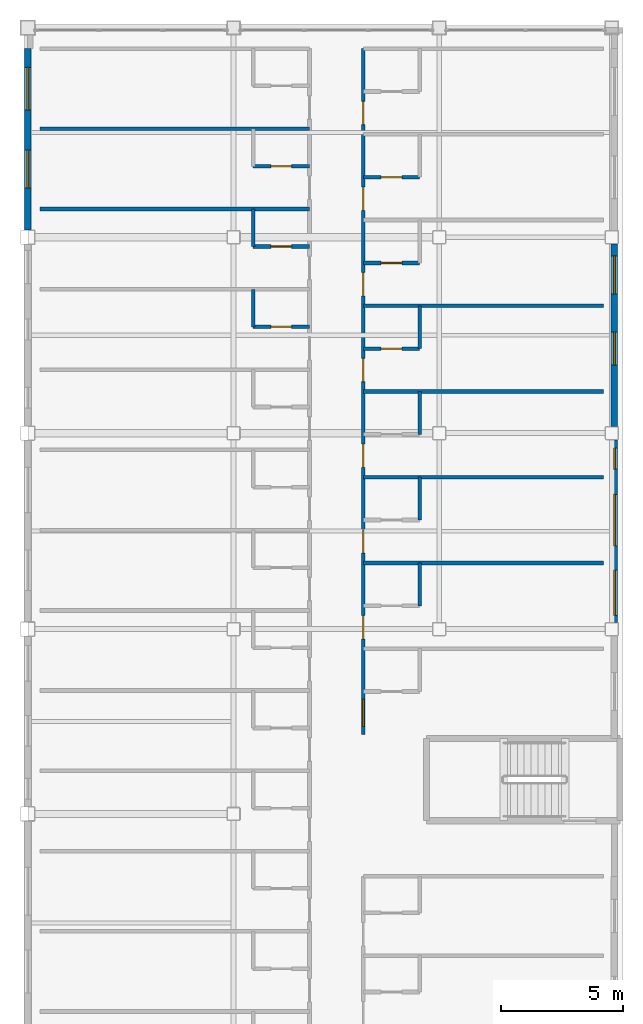
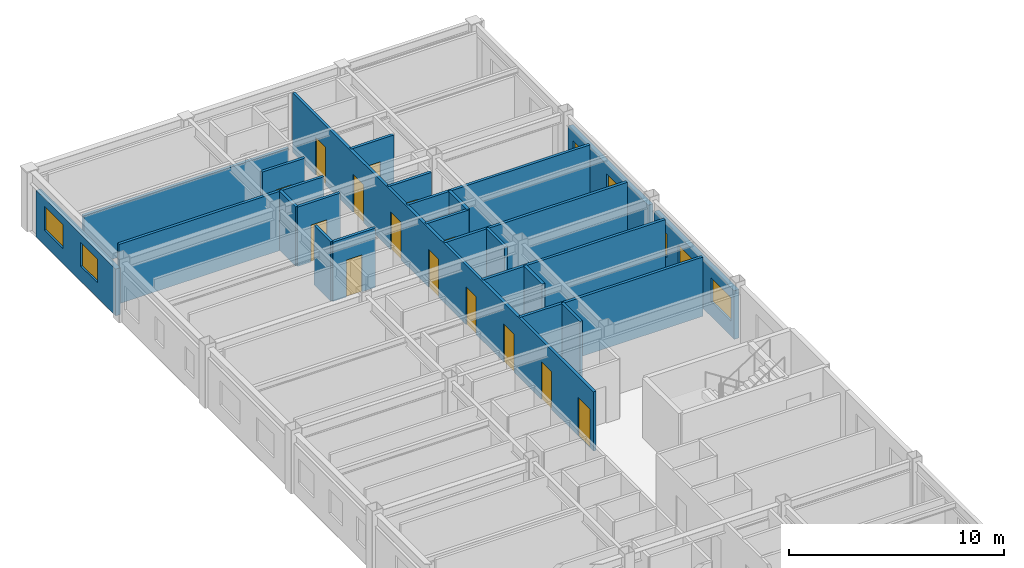
# One storey, part 32 of 36: 22 walls, 14 doors, 7 windows, 21 openings.
"""IFC4 building model written with IfcOpenShell, lengths in metres."""

from ifc_helpers import new_model, si_unit, direction, frame, frame_2d, origin, place, context, subcontext, project, spatial, rectangle, extrude, material, layer, layer_set, type_object, element, fill, save


model = new_model("IFC4")

# Units and contexts
model_context = context("Model", 3, precision=1e-05, world=origin(), true_north=direction((0.0, 1.0)))
body_context = subcontext(model_context, "Body", "Model", "MODEL_VIEW")
ifc_project = project(units=[si_unit("LENGTHUNIT", "METRE"), si_unit("AREAUNIT", "SQUARE_METRE"), si_unit("VOLUMEUNIT", "CUBIC_METRE"), si_unit("PLANEANGLEUNIT", "RADIAN"), si_unit("MASSUNIT", "GRAM", prefix="KILO")], contexts=[model_context])

# Site, building, storey
site_placement = place(None, origin())
site = spatial("IfcSite", under=ifc_project, at=site_placement, CompositionType="ELEMENT")
building_placement = place(site_placement, origin())
building = spatial("IfcBuilding", under=site, at=building_placement, Name="Kazehara Bluff Congress Hotel", CompositionType="ELEMENT")
storey_placement = place(building_placement, frame((0.0, 0.0, 28.199951171875)))
storey = spatial("IfcBuildingStorey", under=building, at=storey_placement, Name="L06", CompositionType="ELEMENT", Elevation=28.199951171875)

# Wall, openings, windows
ifc_material_1 = material(Name="Precast concrete C40/50", Category="concrete")
ifc_layer_1 = layer(ifc_material_1, 0.260009765625)
ifc_layer_set_1 = layer_set([ifc_layer_1], Name="Precast concrete C40/50")
wall_type_1 = type_object("IfcWallType", Name="TP-EW-260", PredefinedType="SOLIDWALL", material=ifc_layer_set_1)
wall_1_placement = place(storey_placement, frame((167.64990234375, 88.625, 0.0), z_axis=(0.0, 0.0, 1.0), x_axis=(0.0, -1.0, 0.0)))
wall_1 = element("IfcWall", 1, at=wall_1_placement, inside=storey, type_object=wall_type_1, Name="L06 hotel facade panel 76", PredefinedType="SOLIDWALL", context=body_context, shape_type="SweptSolid", body=[
    extrude(rectangle(XDim=7.449951171875, YDim=0.260009765625, at=frame_2d((3.72509765625, 0.0))), origin(), (0.0, 0.0, 1.0), 2.755126953125),
])
opening_1_placement = place(wall_1_placement, frame((5.31494140625, 0.0, 0.85009765625)))
opening_1 = element("IfcOpeningElement", 2, at=opening_1_placement, cuts=wall_1, Name="Opening WN-36", PredefinedType="OPENING", context=body_context, shape_type="SweptSolid", body=[
    extrude(rectangle(XDim=1.85009765625, YDim=1.35009765625, at=frame_2d((0.925048828125, 0.675048828125))), frame((0.0, 0.139892578125, 0.0), z_axis=(0.0, -1.0, 0.0), x_axis=(1.0, 0.0, 0.0)), (0.0, 0.0, 1.0), 0.280029296875),
])
opening_2_placement = place(wall_1_placement, frame((2.22509765625, 0.0, 0.85009765625)))
opening_2 = element("IfcOpeningElement", 3, at=opening_2_placement, cuts=wall_1, Name="Opening WN-46", PredefinedType="OPENING", context=body_context, shape_type="SweptSolid", body=[
    extrude(rectangle(XDim=2.10009765625, YDim=1.35009765625, at=frame_2d((1.050048828125, 0.675048828125))), frame((0.0, 0.139892578125, 0.0), z_axis=(0.0, -1.0, 0.0), x_axis=(1.0, 0.0, 0.0)), (0.0, 0.0, 1.0), 0.280029296875),
])
opening_3_placement = place(wall_1_placement, frame((0.340087890625, 0.0, 0.85009765625)))
opening_3 = element("IfcOpeningElement", 4, at=opening_3_placement, cuts=wall_1, Name="Opening WN-55", PredefinedType="OPENING", context=body_context, shape_type="SweptSolid", body=[
    extrude(rectangle(XDim=0.85009765625, YDim=1.35009765625, at=frame_2d((0.425048828125, 0.675048828125))), frame((0.0, 0.139892578125, 0.0), z_axis=(0.0, -1.0, 0.0), x_axis=(1.0, 0.0, 0.0)), (0.0, 0.0, 1.0), 0.280029296875),
])
ifc_material_2 = material(Name="Insulated low-E double glazing", Category="glass")
window_type_1 = type_object("IfcWindowType", Name="TP-WN-36", PartitioningType="DOUBLE_PANEL_VERTICAL", PredefinedType="WINDOW", material=ifc_material_2)
window_1_placement = place(opening_1_placement, origin())
window_1 = element("IfcWindow", 5, at=window_1_placement, inside=storey, type_object=window_type_1, Name="L06 guestroom window WN-36 140", OverallHeight=1.35009765625, OverallWidth=1.85009765625, PartitioningType="SINGLE_PANEL", PredefinedType="WINDOW", context=body_context, shape_type="SweptSolid", body=[
    extrude(rectangle(XDim=1.85009765625, YDim=1.35009765625, at=frame_2d((0.925048828125, 0.675048828125))), frame((0.0, 0.030029296875, 0.0), z_axis=(0.0, -1.0, 0.0), x_axis=(1.0, 0.0, 0.0)), (0.0, 0.0, 1.0), 0.06005859375),
])
fill(opening_1, window_1)
ifc_material_3 = material(Name="Insulated low-E double glazing", Category="glass")
window_type_2 = type_object("IfcWindowType", Name="TP-WN-46", PartitioningType="DOUBLE_PANEL_VERTICAL", PredefinedType="WINDOW", material=ifc_material_3)
window_2_placement = place(opening_2_placement, origin())
window_2 = element("IfcWindow", 6, at=window_2_placement, inside=storey, type_object=window_type_2, Name="L06 guestroom window WN-46 141", OverallHeight=1.35009765625, OverallWidth=2.10009765625, PartitioningType="SINGLE_PANEL", PredefinedType="WINDOW", context=body_context, shape_type="SweptSolid", body=[
    extrude(rectangle(XDim=2.10009765625, YDim=1.35009765625, at=frame_2d((1.050048828125, 0.675048828125))), frame((0.0, 0.030029296875, 0.0), z_axis=(0.0, -1.0, 0.0), x_axis=(1.0, 0.0, 0.0)), (0.0, 0.0, 1.0), 0.06005859375),
])
fill(opening_2, window_2)
ifc_material_4 = material(Name="Insulated low-E double glazing", Category="glass")
window_type_3 = type_object("IfcWindowType", Name="TP-WN-55", PartitioningType="SINGLE_PANEL", PredefinedType="WINDOW", material=ifc_material_4)
window_3_placement = place(opening_3_placement, origin())
window_3 = element("IfcWindow", 7, at=window_3_placement, inside=storey, type_object=window_type_3, Name="L06 guestroom window WN-55 142", OverallHeight=1.35009765625, OverallWidth=0.85009765625, PartitioningType="SINGLE_PANEL", PredefinedType="WINDOW", context=body_context, shape_type="SweptSolid", body=[
    extrude(rectangle(XDim=0.85009765625, YDim=1.35009765625, at=frame_2d((0.425048828125, 0.675048828125))), frame((0.0, 0.030029296875, 0.0), z_axis=(0.0, -1.0, 0.0), x_axis=(1.0, 0.0, 0.0)), (0.0, 0.0, 1.0), 0.06005859375),
])
fill(opening_3, window_3)

wall_2_placement = place(storey_placement, frame((167.64990234375, 96.625, 0.0), z_axis=(0.0, 0.0, 1.0), x_axis=(0.0, -1.0, 0.0)))
wall_2 = element("IfcWall", 8, at=wall_2_placement, inside=storey, type_object=wall_type_1, Name="L06 hotel facade panel 77", PredefinedType="SOLIDWALL", context=body_context, shape_type="SweptSolid", body=[
    extrude(rectangle(XDim=7.449951171875, YDim=0.260009765625, at=frame_2d((3.72509765625, 0.0))), origin(), (0.0, 0.0, 1.0), 2.755126953125),
])
opening_4_placement = place(wall_2_placement, frame((3.60009765625, 0.0, 0.85009765625)))
opening_4 = element("IfcOpeningElement", 9, at=opening_4_placement, cuts=wall_2, Name="Opening WN-11", PredefinedType="OPENING", context=body_context, shape_type="SweptSolid", body=[
    extrude(rectangle(XDim=1.35009765625, YDim=1.35009765625, at=frame_2d((0.675048828125, 0.675048828125))), frame((0.0, 0.139892578125, 0.0), z_axis=(0.0, -1.0, 0.0), x_axis=(1.0, 0.0, 0.0)), (0.0, 0.0, 1.0), 0.280029296875),
])
opening_5_placement = place(wall_2_placement, frame((0.489990234375, 0.0, 0.85009765625)))
opening_5 = element("IfcOpeningElement", 10, at=opening_5_placement, cuts=wall_2, Name="Opening WN-21", PredefinedType="OPENING", context=body_context, shape_type="SweptSolid", body=[
    extrude(rectangle(XDim=1.550048828125, YDim=1.35009765625, at=frame_2d((0.77490234375, 0.675048828125))), frame((0.0, 0.139892578125, 0.0), z_axis=(0.0, -1.0, 0.0), x_axis=(1.0, 0.0, 0.0)), (0.0, 0.0, 1.0), 0.280029296875),
])
ifc_material_5 = material(Name="Insulated low-E double glazing", Category="glass")
window_type_4 = type_object("IfcWindowType", Name="TP-WN-11", PartitioningType="SINGLE_PANEL", PredefinedType="WINDOW", material=ifc_material_5)
window_4_placement = place(opening_4_placement, origin())
window_4 = element("IfcWindow", 11, at=window_4_placement, inside=storey, type_object=window_type_4, Name="L06 guestroom window WN-11 143", OverallHeight=1.35009765625, OverallWidth=1.35009765625, PartitioningType="SINGLE_PANEL", PredefinedType="WINDOW", context=body_context, shape_type="SweptSolid", body=[
    extrude(rectangle(XDim=1.35009765625, YDim=1.35009765625, at=frame_2d((0.675048828125, 0.675048828125))), frame((0.0, 0.030029296875, 0.0), z_axis=(0.0, -1.0, 0.0), x_axis=(1.0, 0.0, 0.0)), (0.0, 0.0, 1.0), 0.06005859375),
])
fill(opening_4, window_4)
ifc_material_6 = material(Name="Insulated low-E double glazing", Category="glass")
window_type_5 = type_object("IfcWindowType", Name="TP-WN-21", PartitioningType="SINGLE_PANEL", PredefinedType="WINDOW", material=ifc_material_6)
window_5_placement = place(opening_5_placement, origin())
window_5 = element("IfcWindow", 12, at=window_5_placement, inside=storey, type_object=window_type_5, Name="L06 guestroom window WN-21 144", OverallHeight=1.35009765625, OverallWidth=1.550048828125, PartitioningType="SINGLE_PANEL", PredefinedType="WINDOW", context=body_context, shape_type="SweptSolid", body=[
    extrude(rectangle(XDim=1.550048828125, YDim=1.35009765625, at=frame_2d((0.77490234375, 0.675048828125))), frame((0.0, 0.030029296875, 0.0), z_axis=(0.0, -1.0, 0.0), x_axis=(1.0, 0.0, 0.0)), (0.0, 0.0, 1.0), 0.06005859375),
])
fill(opening_5, window_5)

wall_3_placement = place(storey_placement, frame((143.699951171875, 97.199951171875, 0.0), z_axis=(0.0, 0.0, 1.0), x_axis=(0.0, 1.0, 0.0)))
wall_3 = element("IfcWall", 13, at=wall_3_placement, inside=storey, type_object=wall_type_1, Name="L06 hotel facade panel 89", PredefinedType="SOLIDWALL", context=body_context, shape_type="SweptSolid", body=[
    extrude(rectangle(XDim=7.400146484375, YDim=0.260009765625, at=frame_2d((3.7001953125, 0.0))), origin(), (0.0, 0.0, 1.0), 2.655029296875),
])
opening_6_placement = place(wall_3_placement, frame((1.7099609375, 0.0, 0.85009765625)))
opening_6 = element("IfcOpeningElement", 14, at=opening_6_placement, cuts=wall_3, Name="Opening WN-21", PredefinedType="OPENING", context=body_context, shape_type="SweptSolid", body=[
    extrude(rectangle(XDim=1.550048828125, YDim=1.35009765625, at=frame_2d((0.77490234375, 0.675048828125))), frame((0.0, 0.139892578125, 0.0), z_axis=(0.0, -1.0, 0.0), x_axis=(1.0, 0.0, 0.0)), (0.0, 0.0, 1.0), 0.280029296875),
])
opening_7_placement = place(wall_3_placement, frame((4.889892578125, 0.0, 0.85009765625)))
opening_7 = element("IfcOpeningElement", 15, at=opening_7_placement, cuts=wall_3, Name="Opening WN-31", PredefinedType="OPENING", context=body_context, shape_type="SweptSolid", body=[
    extrude(rectangle(XDim=1.75, YDim=1.35009765625, at=frame_2d((0.875, 0.675048828125))), frame((0.0, 0.139892578125, 0.0), z_axis=(0.0, -1.0, 0.0), x_axis=(1.0, 0.0, 0.0)), (0.0, 0.0, 1.0), 0.280029296875),
])
window_6_placement = place(opening_6_placement, origin())
window_6 = element("IfcWindow", 16, at=window_6_placement, inside=storey, type_object=window_type_5, Name="L06 guestroom window WN-21 165", OverallHeight=1.35009765625, OverallWidth=1.550048828125, PartitioningType="SINGLE_PANEL", PredefinedType="WINDOW", context=body_context, shape_type="SweptSolid", body=[
    extrude(rectangle(XDim=1.550048828125, YDim=1.35009765625, at=frame_2d((0.77490234375, 0.675048828125))), frame((0.0, 0.030029296875, 0.0), z_axis=(0.0, -1.0, 0.0), x_axis=(1.0, 0.0, 0.0)), (0.0, 0.0, 1.0), 0.06005859375),
])
fill(opening_6, window_6)
ifc_material_7 = material(Name="Insulated low-E double glazing", Category="glass")
window_type_6 = type_object("IfcWindowType", Name="TP-WN-31", PartitioningType="SINGLE_PANEL", PredefinedType="WINDOW", material=ifc_material_7)
window_7_placement = place(opening_7_placement, origin())
window_7 = element("IfcWindow", 17, at=window_7_placement, inside=storey, type_object=window_type_6, Name="L06 guestroom window WN-31 166", OverallHeight=1.35009765625, OverallWidth=1.75, PartitioningType="SINGLE_PANEL", PredefinedType="WINDOW", context=body_context, shape_type="SweptSolid", body=[
    extrude(rectangle(XDim=1.75, YDim=1.35009765625, at=frame_2d((0.875, 0.675048828125))), frame((0.0, 0.030029296875, 0.0), z_axis=(0.0, -1.0, 0.0), x_axis=(1.0, 0.0, 0.0)), (0.0, 0.0, 1.0), 0.06005859375),
])
fill(opening_7, window_7)

# Walls
ifc_material_8 = material(Name="Fire-rated gypsum board stud partition")
ifc_layer_2 = layer(ifc_material_8, 0.14990234375)
ifc_layer_set_2 = layer_set([ifc_layer_2], Name="Fire-rated gypsum board stud partition")
wall_type_2 = type_object("IfcWallType", Name="TP-PT-150", PredefinedType="PARTITIONING", material=ifc_layer_set_2)
for number, where, z_axis, x_axis, name in (
    (18, (157.39990234375, 83.60009765625, 0.0), (0.0, 0.0, 1.0), (1.0, 0.0, 0.0), "L06 partition PT-150 773"),
    (19, (157.39990234375, 87.10009765625, 0.0), (0.0, 0.0, 1.0), (1.0, 0.0, 0.0), "L06 partition PT-150 777"),
    (20, (157.39990234375, 90.60009765625, 0.0), (0.0, 0.0, 1.0), (1.0, 0.0, 0.0), "L06 partition PT-150 781"),
):
    element("IfcWall", number, at=place(storey_placement, frame(where, z_axis=z_axis, x_axis=x_axis)), inside=storey, type_object=wall_type_2, Name=name, PredefinedType="PARTITIONING", context=body_context, shape_type="SweptSolid", body=[
        extrude(rectangle(XDim=9.800048828125, YDim=0.14990234375, at=frame_2d((4.89990234375, 0.0))), origin(), (0.0, 0.0, 1.0), 3.364990234375),
    ])

# Wall, opening, door
wall_4_placement = place(storey_placement, frame((157.39990234375, 92.35009765625, 0.0), z_axis=(0.0, 0.0, 1.0), x_axis=(1.0, 0.0, 0.0)))
wall_4 = element("IfcWall", 21, at=wall_4_placement, inside=storey, type_object=wall_type_2, Name="L06 partition PT-150 783", PredefinedType="PARTITIONING", context=body_context, shape_type="SweptSolid", body=[
    extrude(rectangle(XDim=2.300048828125, YDim=0.14990234375, at=frame_2d((1.14990234375, 0.0))), origin(), (0.0, 0.0, 1.0), 3.364990234375),
])
opening_8_placement = place(wall_4_placement, frame((0.72509765625, 0.0, 0.0)))
opening_8 = element("IfcOpeningElement", 22, at=opening_8_placement, cuts=wall_4, Name="Opening BD-01", PredefinedType="OPENING", context=body_context, shape_type="SweptSolid", body=[
    extrude(rectangle(XDim=0.85009765625, YDim=2.10009765625, at=frame_2d((0.425048828125, 1.050048828125))), frame((0.0, 0.0849609375, 0.0), z_axis=(0.0, -1.0, 0.0), x_axis=(1.0, 0.0, 0.0)), (0.0, 0.0, 1.0), 0.169921875),
])
ifc_material_9 = material(Name="Architectural oak veneer leaf")
door_type_1 = type_object("IfcDoorType", Name="TP-BD-01", OperationType="NOTDEFINED", PredefinedType="DOOR", material=ifc_material_9)
door_1_placement = place(opening_8_placement, origin())
door_1 = element("IfcDoor", 23, at=door_1_placement, inside=storey, type_object=door_type_1, Name="L06 En-suite Bathroom 163 door", OperationType="SINGLE_SWING_LEFT", OverallHeight=2.10009765625, OverallWidth=0.85009765625, PredefinedType="DOOR", context=body_context, shape_type="SweptSolid", body=[
    extrude(rectangle(XDim=0.85009765625, YDim=2.10009765625, at=frame_2d((0.425048828125, 1.050048828125))), frame((0.0, 0.02490234375, 0.0), z_axis=(0.0, -1.0, 0.0), x_axis=(1.0, 0.0, 0.0)), (0.0, 0.0, 1.0), 0.050048828125),
])
fill(opening_8, door_1)

wall_5_placement = place(storey_placement, frame((152.89990234375, 93.239990234375, 0.0), z_axis=(0.0, 0.0, 1.0), x_axis=(1.0, 0.0, 0.0)))
wall_5 = element("IfcWall", 24, at=wall_5_placement, inside=storey, type_object=wall_type_2, Name="L06 partition PT-150 784", PredefinedType="PARTITIONING", context=body_context, shape_type="SweptSolid", body=[
    extrude(rectangle(XDim=2.300048828125, YDim=0.14990234375, at=frame_2d((1.14990234375, 0.0))), origin(), (0.0, 0.0, 1.0), 3.364990234375),
])
opening_9_placement = place(wall_5_placement, frame((0.72509765625, 0.0, 0.0)))
opening_9 = element("IfcOpeningElement", 25, at=opening_9_placement, cuts=wall_5, Name="Opening BD-01", PredefinedType="OPENING", context=body_context, shape_type="SweptSolid", body=[
    extrude(rectangle(XDim=0.85009765625, YDim=2.10009765625, at=frame_2d((0.425048828125, 1.050048828125))), frame((0.0, 0.0849609375, 0.0), z_axis=(0.0, -1.0, 0.0), x_axis=(1.0, 0.0, 0.0)), (0.0, 0.0, 1.0), 0.169921875),
])
door_2_placement = place(opening_9_placement, origin())
door_2 = element("IfcDoor", 26, at=door_2_placement, inside=storey, type_object=door_type_1, Name="L06 En-suite Bathroom 135 door", OperationType="SINGLE_SWING_LEFT", OverallHeight=2.10009765625, OverallWidth=0.85009765625, PredefinedType="DOOR", context=body_context, shape_type="SweptSolid", body=[
    extrude(rectangle(XDim=0.85009765625, YDim=2.10009765625, at=frame_2d((0.425048828125, 1.050048828125))), frame((0.0, 0.02490234375, 0.0), z_axis=(0.0, -1.0, 0.0), x_axis=(1.0, 0.0, 0.0)), (0.0, 0.0, 1.0), 0.050048828125),
])
fill(opening_9, door_2)

# Wall
wall_6_placement = place(storey_placement, frame((157.39990234375, 94.10009765625, 0.0), z_axis=(0.0, 0.0, 1.0), x_axis=(1.0, 0.0, 0.0)))
element("IfcWall", 27, at=wall_6_placement, inside=storey, type_object=wall_type_2, Name="L06 partition PT-150 785", PredefinedType="PARTITIONING", context=body_context, shape_type="SweptSolid", body=[
    extrude(rectangle(XDim=9.800048828125, YDim=0.14990234375, at=frame_2d((4.89990234375, 0.0))), origin(), (0.0, 0.0, 1.0), 3.364990234375),
])

# Wall, opening, door
wall_7_placement = place(storey_placement, frame((157.39990234375, 95.85009765625, 0.0), z_axis=(0.0, 0.0, 1.0), x_axis=(1.0, 0.0, 0.0)))
wall_7 = element("IfcWall", 28, at=wall_7_placement, inside=storey, type_object=wall_type_2, Name="L06 partition PT-150 787", PredefinedType="PARTITIONING", context=body_context, shape_type="SweptSolid", body=[
    extrude(rectangle(XDim=2.300048828125, YDim=0.14990234375, at=frame_2d((1.14990234375, 0.0))), origin(), (0.0, 0.0, 1.0), 3.364990234375),
])
opening_10_placement = place(wall_7_placement, frame((0.72509765625, 0.0, 0.0)))
opening_10 = element("IfcOpeningElement", 29, at=opening_10_placement, cuts=wall_7, Name="Opening BD-01", PredefinedType="OPENING", context=body_context, shape_type="SweptSolid", body=[
    extrude(rectangle(XDim=0.85009765625, YDim=2.10009765625, at=frame_2d((0.425048828125, 1.050048828125))), frame((0.0, 0.0849609375, 0.0), z_axis=(0.0, -1.0, 0.0), x_axis=(1.0, 0.0, 0.0)), (0.0, 0.0, 1.0), 0.169921875),
])
door_3_placement = place(opening_10_placement, origin())
door_3 = element("IfcDoor", 30, at=door_3_placement, inside=storey, type_object=door_type_1, Name="L06 En-suite Bathroom 164 door", OperationType="SINGLE_SWING_LEFT", OverallHeight=2.10009765625, OverallWidth=0.85009765625, PredefinedType="DOOR", context=body_context, shape_type="SweptSolid", body=[
    extrude(rectangle(XDim=0.85009765625, YDim=2.10009765625, at=frame_2d((0.425048828125, 1.050048828125))), frame((0.0, 0.02490234375, 0.0), z_axis=(0.0, -1.0, 0.0), x_axis=(1.0, 0.0, 0.0)), (0.0, 0.0, 1.0), 0.050048828125),
])
fill(opening_10, door_3)

wall_8_placement = place(storey_placement, frame((152.89990234375, 96.52001953125, 0.0), z_axis=(0.0, 0.0, 1.0), x_axis=(1.0, 0.0, 0.0)))
wall_8 = element("IfcWall", 31, at=wall_8_placement, inside=storey, type_object=wall_type_2, Name="L06 partition PT-150 788", PredefinedType="PARTITIONING", context=body_context, shape_type="SweptSolid", body=[
    extrude(rectangle(XDim=2.300048828125, YDim=0.14990234375, at=frame_2d((1.14990234375, 0.0))), origin(), (0.0, 0.0, 1.0), 3.364990234375),
])
opening_11_placement = place(wall_8_placement, frame((0.72509765625, 0.0, 0.0)))
opening_11 = element("IfcOpeningElement", 32, at=opening_11_placement, cuts=wall_8, Name="Opening BD-01", PredefinedType="OPENING", context=body_context, shape_type="SweptSolid", body=[
    extrude(rectangle(XDim=0.85009765625, YDim=2.10009765625, at=frame_2d((0.425048828125, 1.050048828125))), frame((0.0, 0.0849609375, 0.0), z_axis=(0.0, -1.0, 0.0), x_axis=(1.0, 0.0, 0.0)), (0.0, 0.0, 1.0), 0.169921875),
])
door_4_placement = place(opening_11_placement, origin())
door_4 = element("IfcDoor", 33, at=door_4_placement, inside=storey, type_object=door_type_1, Name="L06 En-suite Bathroom 136 door", OperationType="SINGLE_SWING_LEFT", OverallHeight=2.10009765625, OverallWidth=0.85009765625, PredefinedType="DOOR", context=body_context, shape_type="SweptSolid", body=[
    extrude(rectangle(XDim=0.85009765625, YDim=2.10009765625, at=frame_2d((0.425048828125, 1.050048828125))), frame((0.0, 0.02490234375, 0.0), z_axis=(0.0, -1.0, 0.0), x_axis=(1.0, 0.0, 0.0)), (0.0, 0.0, 1.0), 0.050048828125),
])
fill(opening_11, door_4)

# Wall
wall_9_placement = place(storey_placement, frame((144.199951171875, 98.050048828125, 0.0), z_axis=(0.0, 0.0, 1.0), x_axis=(1.0, 0.0, 0.0)))
element("IfcWall", 34, at=wall_9_placement, inside=storey, type_object=wall_type_2, Name="L06 partition PT-150 790", PredefinedType="PARTITIONING", context=body_context, shape_type="SweptSolid", body=[
    extrude(rectangle(XDim=11.0, YDim=0.14990234375, at=frame_2d((5.5, 0.0))), origin(), (0.0, 0.0, 1.0), 3.364990234375),
])

# Wall, opening, door
wall_10_placement = place(storey_placement, frame((157.39990234375, 99.35009765625, 0.0), z_axis=(0.0, 0.0, 1.0), x_axis=(1.0, 0.0, 0.0)))
wall_10 = element("IfcWall", 35, at=wall_10_placement, inside=storey, type_object=wall_type_2, Name="L06 partition PT-150 791", PredefinedType="PARTITIONING", context=body_context, shape_type="SweptSolid", body=[
    extrude(rectangle(XDim=2.300048828125, YDim=0.14990234375, at=frame_2d((1.14990234375, 0.0))), origin(), (0.0, 0.0, 1.0), 3.364990234375),
])
opening_12_placement = place(wall_10_placement, frame((0.72509765625, 0.0, 0.0)))
opening_12 = element("IfcOpeningElement", 36, at=opening_12_placement, cuts=wall_10, Name="Opening BD-01", PredefinedType="OPENING", context=body_context, shape_type="SweptSolid", body=[
    extrude(rectangle(XDim=0.85009765625, YDim=2.10009765625, at=frame_2d((0.425048828125, 1.050048828125))), frame((0.0, 0.0849609375, 0.0), z_axis=(0.0, -1.0, 0.0), x_axis=(1.0, 0.0, 0.0)), (0.0, 0.0, 1.0), 0.169921875),
])
door_5_placement = place(opening_12_placement, origin())
door_5 = element("IfcDoor", 37, at=door_5_placement, inside=storey, type_object=door_type_1, Name="L06 En-suite Bathroom 165 door", OperationType="SINGLE_SWING_LEFT", OverallHeight=2.10009765625, OverallWidth=0.85009765625, PredefinedType="DOOR", context=body_context, shape_type="SweptSolid", body=[
    extrude(rectangle(XDim=0.85009765625, YDim=2.10009765625, at=frame_2d((0.425048828125, 1.050048828125))), frame((0.0, 0.02490234375, 0.0), z_axis=(0.0, -1.0, 0.0), x_axis=(1.0, 0.0, 0.0)), (0.0, 0.0, 1.0), 0.050048828125),
])
fill(opening_12, door_5)

wall_11_placement = place(storey_placement, frame((152.89990234375, 99.800048828125, 0.0), z_axis=(0.0, 0.0, 1.0), x_axis=(1.0, 0.0, 0.0)))
wall_11 = element("IfcWall", 38, at=wall_11_placement, inside=storey, type_object=wall_type_2, Name="L06 partition PT-150 792", PredefinedType="PARTITIONING", context=body_context, shape_type="SweptSolid", body=[
    extrude(rectangle(XDim=2.300048828125, YDim=0.14990234375, at=frame_2d((1.14990234375, 0.0))), origin(), (0.0, 0.0, 1.0), 3.364990234375),
])
opening_13_placement = place(wall_11_placement, frame((0.72509765625, 0.0, 0.0)))
opening_13 = element("IfcOpeningElement", 39, at=opening_13_placement, cuts=wall_11, Name="Opening BD-01", PredefinedType="OPENING", context=body_context, shape_type="SweptSolid", body=[
    extrude(rectangle(XDim=0.85009765625, YDim=2.10009765625, at=frame_2d((0.425048828125, 1.050048828125))), frame((0.0, 0.0849609375, 0.0), z_axis=(0.0, -1.0, 0.0), x_axis=(1.0, 0.0, 0.0)), (0.0, 0.0, 1.0), 0.169921875),
])
door_6_placement = place(opening_13_placement, origin())
door_6 = element("IfcDoor", 40, at=door_6_placement, inside=storey, type_object=door_type_1, Name="L06 En-suite Bathroom 137 door", OperationType="SINGLE_SWING_LEFT", OverallHeight=2.10009765625, OverallWidth=0.85009765625, PredefinedType="DOOR", context=body_context, shape_type="SweptSolid", body=[
    extrude(rectangle(XDim=0.85009765625, YDim=2.10009765625, at=frame_2d((0.425048828125, 1.050048828125))), frame((0.0, 0.02490234375, 0.0), z_axis=(0.0, -1.0, 0.0), x_axis=(1.0, 0.0, 0.0)), (0.0, 0.0, 1.0), 0.050048828125),
])
fill(opening_13, door_6)

# Walls
wall_12_placement = place(storey_placement, frame((144.199951171875, 101.330078125, 0.0), z_axis=(0.0, 0.0, 1.0), x_axis=(1.0, 0.0, 0.0)))
element("IfcWall", 41, at=wall_12_placement, inside=storey, type_object=wall_type_2, Name="L06 partition PT-150 794", PredefinedType="PARTITIONING", context=body_context, shape_type="SweptSolid", body=[
    extrude(rectangle(XDim=11.0, YDim=0.14990234375, at=frame_2d((5.5, 0.0))), origin(), (0.0, 0.0, 1.0), 3.005126953125),
])
wall_13_placement = place(storey_placement, frame((152.89990234375, 93.239990234375, 0.0), z_axis=(0.0, 0.0, 1.0), x_axis=(0.0, 1.0, 0.0)))
element("IfcWall", 42, at=wall_13_placement, inside=storey, type_object=wall_type_2, Name="L06 partition PT-150 817", PredefinedType="PARTITIONING", context=body_context, shape_type="SweptSolid", body=[
    extrude(rectangle(XDim=1.530029296875, YDim=0.14990234375, at=frame_2d((0.76513671875, 0.0))), origin(), (0.0, 0.0, 1.0), 3.364990234375),
])
wall_14_placement = place(storey_placement, frame((152.89990234375, 96.52001953125, 0.0), z_axis=(0.0, 0.0, 1.0), x_axis=(0.0, 1.0, 0.0)))
element("IfcWall", 43, at=wall_14_placement, inside=storey, type_object=wall_type_2, Name="L06 partition PT-150 818", PredefinedType="PARTITIONING", context=body_context, shape_type="SweptSolid", body=[
    extrude(rectangle(XDim=1.52490234375, YDim=0.14990234375, at=frame_2d((0.762451171875, 0.0))), origin(), (0.0, 0.0, 1.0), 3.364990234375),
])

# Wall, openings, doors
wall_15_placement = place(storey_placement, frame((157.39990234375, 76.60009765625, 0.0), z_axis=(0.0, 0.0, 1.0), x_axis=(0.0, 1.0, 0.0)))
wall_15 = element("IfcWall", 44, at=wall_15_placement, inside=storey, type_object=wall_type_2, Name="L06 partition PT-150 830", PredefinedType="PARTITIONING", context=body_context, shape_type="SweptSolid", body=[
    extrude(rectangle(XDim=28.0, YDim=0.14990234375, at=frame_2d((14.0, 0.0))), origin(), (0.0, 0.0, 1.0), 3.364990234375),
])
opening_14_placement = place(wall_15_placement, frame((0.324951171875, 0.0, 0.0)))
opening_14 = element("IfcOpeningElement", 45, at=opening_14_placement, cuts=wall_15, Name="Opening GD-02", PredefinedType="OPENING", context=body_context, shape_type="SweptSolid", body=[
    extrude(rectangle(XDim=1.10009765625, YDim=2.199951171875, at=frame_2d((0.550048828125, 1.10009765625))), frame((0.0, 0.0849609375, 0.0), z_axis=(0.0, -1.0, 0.0), x_axis=(1.0, 0.0, 0.0)), (0.0, 0.0, 1.0), 0.169921875),
])
opening_15_placement = place(wall_15_placement, frame((3.89990234375, 0.0, 0.0)))
opening_15 = element("IfcOpeningElement", 46, at=opening_15_placement, cuts=wall_15, Name="Opening GD-01", PredefinedType="OPENING", context=body_context, shape_type="SweptSolid", body=[
    extrude(rectangle(XDim=0.949951171875, YDim=2.14990234375, at=frame_2d((0.47509765625, 1.074951171875))), frame((0.0, 0.0849609375, 0.0), z_axis=(0.0, -1.0, 0.0), x_axis=(1.0, 0.0, 0.0)), (0.0, 0.0, 1.0), 0.169921875),
])
opening_16_placement = place(wall_15_placement, frame((7.39990234375, 0.0, 0.0)))
opening_16 = element("IfcOpeningElement", 47, at=opening_16_placement, cuts=wall_15, Name="Opening GD-01", PredefinedType="OPENING", context=body_context, shape_type="SweptSolid", body=[
    extrude(rectangle(XDim=0.949951171875, YDim=2.14990234375, at=frame_2d((0.47509765625, 1.074951171875))), frame((0.0, 0.0849609375, 0.0), z_axis=(0.0, -1.0, 0.0), x_axis=(1.0, 0.0, 0.0)), (0.0, 0.0, 1.0), 0.169921875),
])
opening_17_placement = place(wall_15_placement, frame((10.89990234375, 0.0, 0.0)))
opening_17 = element("IfcOpeningElement", 48, at=opening_17_placement, cuts=wall_15, Name="Opening GD-01", PredefinedType="OPENING", context=body_context, shape_type="SweptSolid", body=[
    extrude(rectangle(XDim=0.949951171875, YDim=2.14990234375, at=frame_2d((0.47509765625, 1.074951171875))), frame((0.0, 0.0849609375, 0.0), z_axis=(0.0, -1.0, 0.0), x_axis=(1.0, 0.0, 0.0)), (0.0, 0.0, 1.0), 0.169921875),
])
opening_18_placement = place(wall_15_placement, frame((14.39990234375, 0.0, 0.0)))
opening_18 = element("IfcOpeningElement", 49, at=opening_18_placement, cuts=wall_15, Name="Opening GD-01", PredefinedType="OPENING", context=body_context, shape_type="SweptSolid", body=[
    extrude(rectangle(XDim=0.949951171875, YDim=2.14990234375, at=frame_2d((0.47509765625, 1.074951171875))), frame((0.0, 0.0849609375, 0.0), z_axis=(0.0, -1.0, 0.0), x_axis=(1.0, 0.0, 0.0)), (0.0, 0.0, 1.0), 0.169921875),
])
opening_19_placement = place(wall_15_placement, frame((17.89990234375, 0.0, 0.0)))
opening_19 = element("IfcOpeningElement", 50, at=opening_19_placement, cuts=wall_15, Name="Opening GD-01", PredefinedType="OPENING", context=body_context, shape_type="SweptSolid", body=[
    extrude(rectangle(XDim=0.949951171875, YDim=2.14990234375, at=frame_2d((0.47509765625, 1.074951171875))), frame((0.0, 0.0849609375, 0.0), z_axis=(0.0, -1.0, 0.0), x_axis=(1.0, 0.0, 0.0)), (0.0, 0.0, 1.0), 0.169921875),
])
opening_20_placement = place(wall_15_placement, frame((21.39990234375, 0.0, 0.0)))
opening_20 = element("IfcOpeningElement", 51, at=opening_20_placement, cuts=wall_15, Name="Opening GD-01", PredefinedType="OPENING", context=body_context, shape_type="SweptSolid", body=[
    extrude(rectangle(XDim=0.949951171875, YDim=2.14990234375, at=frame_2d((0.47509765625, 1.074951171875))), frame((0.0, 0.0849609375, 0.0), z_axis=(0.0, -1.0, 0.0), x_axis=(1.0, 0.0, 0.0)), (0.0, 0.0, 1.0), 0.169921875),
])
opening_21_placement = place(wall_15_placement, frame((24.89990234375, 0.0, 0.0)))
opening_21 = element("IfcOpeningElement", 52, at=opening_21_placement, cuts=wall_15, Name="Opening GD-01", PredefinedType="OPENING", context=body_context, shape_type="SweptSolid", body=[
    extrude(rectangle(XDim=0.949951171875, YDim=2.14990234375, at=frame_2d((0.47509765625, 1.074951171875))), frame((0.0, 0.0849609375, 0.0), z_axis=(0.0, -1.0, 0.0), x_axis=(1.0, 0.0, 0.0)), (0.0, 0.0, 1.0), 0.169921875),
])
ifc_material_10 = material(Name="Architectural oak veneer leaf")
door_type_2 = type_object("IfcDoorType", Name="TP-GD-01", OperationType="NOTDEFINED", PredefinedType="DOOR", material=ifc_material_10)
door_7_placement = place(opening_15_placement, origin())
door_7 = element("IfcDoor", 53, at=door_7_placement, inside=storey, type_object=door_type_2, Name="L06 Deluxe Twin Guest Room 160 door", OperationType="SINGLE_SWING_RIGHT", OverallHeight=2.14990234375, OverallWidth=0.949951171875, PredefinedType="DOOR", context=body_context, shape_type="SweptSolid", body=[
    extrude(rectangle(XDim=0.949951171875, YDim=2.14990234375, at=frame_2d((0.47509765625, 1.074951171875))), frame((0.0, 0.02490234375, 0.0), z_axis=(0.0, -1.0, 0.0), x_axis=(1.0, 0.0, 0.0)), (0.0, 0.0, 1.0), 0.050048828125),
])
fill(opening_15, door_7)
door_8_placement = place(opening_16_placement, origin())
door_8 = element("IfcDoor", 54, at=door_8_placement, inside=storey, type_object=door_type_2, Name="L06 Standard King Guest Room 161 door", OperationType="SINGLE_SWING_RIGHT", OverallHeight=2.14990234375, OverallWidth=0.949951171875, PredefinedType="DOOR", context=body_context, shape_type="SweptSolid", body=[
    extrude(rectangle(XDim=0.949951171875, YDim=2.14990234375, at=frame_2d((0.47509765625, 1.074951171875))), frame((0.0, 0.02490234375, 0.0), z_axis=(0.0, -1.0, 0.0), x_axis=(1.0, 0.0, 0.0)), (0.0, 0.0, 1.0), 0.050048828125),
])
fill(opening_16, door_8)
door_9_placement = place(opening_17_placement, origin())
door_9 = element("IfcDoor", 55, at=door_9_placement, inside=storey, type_object=door_type_2, Name="L06 Deluxe Twin Guest Room 162 door", OperationType="SINGLE_SWING_RIGHT", OverallHeight=2.14990234375, OverallWidth=0.949951171875, PredefinedType="DOOR", context=body_context, shape_type="SweptSolid", body=[
    extrude(rectangle(XDim=0.949951171875, YDim=2.14990234375, at=frame_2d((0.47509765625, 1.074951171875))), frame((0.0, 0.02490234375, 0.0), z_axis=(0.0, -1.0, 0.0), x_axis=(1.0, 0.0, 0.0)), (0.0, 0.0, 1.0), 0.050048828125),
])
fill(opening_17, door_9)
door_10_placement = place(opening_18_placement, origin())
door_10 = element("IfcDoor", 56, at=door_10_placement, inside=storey, type_object=door_type_2, Name="L06 Standard King Guest Room 163 door", OperationType="SINGLE_SWING_RIGHT", OverallHeight=2.14990234375, OverallWidth=0.949951171875, PredefinedType="DOOR", context=body_context, shape_type="SweptSolid", body=[
    extrude(rectangle(XDim=0.949951171875, YDim=2.14990234375, at=frame_2d((0.47509765625, 1.074951171875))), frame((0.0, 0.02490234375, 0.0), z_axis=(0.0, -1.0, 0.0), x_axis=(1.0, 0.0, 0.0)), (0.0, 0.0, 1.0), 0.050048828125),
])
fill(opening_18, door_10)
door_11_placement = place(opening_19_placement, origin())
door_11 = element("IfcDoor", 57, at=door_11_placement, inside=storey, type_object=door_type_2, Name="L06 Deluxe Twin Guest Room 164 door", OperationType="SINGLE_SWING_RIGHT", OverallHeight=2.14990234375, OverallWidth=0.949951171875, PredefinedType="DOOR", context=body_context, shape_type="SweptSolid", body=[
    extrude(rectangle(XDim=0.949951171875, YDim=2.14990234375, at=frame_2d((0.47509765625, 1.074951171875))), frame((0.0, 0.02490234375, 0.0), z_axis=(0.0, -1.0, 0.0), x_axis=(1.0, 0.0, 0.0)), (0.0, 0.0, 1.0), 0.050048828125),
])
fill(opening_19, door_11)
door_12_placement = place(opening_20_placement, origin())
door_12 = element("IfcDoor", 58, at=door_12_placement, inside=storey, type_object=door_type_2, Name="L06 Standard King Guest Room 165 door", OperationType="SINGLE_SWING_RIGHT", OverallHeight=2.14990234375, OverallWidth=0.949951171875, PredefinedType="DOOR", context=body_context, shape_type="SweptSolid", body=[
    extrude(rectangle(XDim=0.949951171875, YDim=2.14990234375, at=frame_2d((0.47509765625, 1.074951171875))), frame((0.0, 0.02490234375, 0.0), z_axis=(0.0, -1.0, 0.0), x_axis=(1.0, 0.0, 0.0)), (0.0, 0.0, 1.0), 0.050048828125),
])
fill(opening_20, door_12)
door_13_placement = place(opening_21_placement, origin())
door_13 = element("IfcDoor", 59, at=door_13_placement, inside=storey, type_object=door_type_2, Name="L06 Deluxe Twin Guest Room 166 door", OperationType="SINGLE_SWING_RIGHT", OverallHeight=2.14990234375, OverallWidth=0.949951171875, PredefinedType="DOOR", context=body_context, shape_type="SweptSolid", body=[
    extrude(rectangle(XDim=0.949951171875, YDim=2.14990234375, at=frame_2d((0.47509765625, 1.074951171875))), frame((0.0, 0.02490234375, 0.0), z_axis=(0.0, -1.0, 0.0), x_axis=(1.0, 0.0, 0.0)), (0.0, 0.0, 1.0), 0.050048828125),
])
fill(opening_21, door_13)
ifc_material_11 = material(Name="Architectural oak veneer leaf")
door_type_3 = type_object("IfcDoorType", Name="TP-GD-02", OperationType="NOTDEFINED", PredefinedType="DOOR", material=ifc_material_11)
door_14_placement = place(opening_14_placement, origin())
door_14 = element("IfcDoor", 60, at=door_14_placement, inside=storey, type_object=door_type_3, Name="L06 Executive Suite 159 door", OperationType="SINGLE_SWING_RIGHT", OverallHeight=2.199951171875, OverallWidth=1.10009765625, PredefinedType="DOOR", context=body_context, shape_type="SweptSolid", body=[
    extrude(rectangle(XDim=1.10009765625, YDim=2.199951171875, at=frame_2d((0.550048828125, 1.10009765625))), frame((0.0, 0.02490234375, 0.0), z_axis=(0.0, -1.0, 0.0), x_axis=(1.0, 0.0, 0.0)), (0.0, 0.0, 1.0), 0.050048828125),
])
fill(opening_14, door_14)

# Walls
for number, where, z_axis, x_axis, name in (
    (61, (159.699951171875, 81.85009765625, 0.0), (0.0, 0.0, 1.0), (0.0, 1.0, 0.0), "L06 partition PT-150 852"),
    (62, (159.699951171875, 85.35009765625, 0.0), (0.0, 0.0, 1.0), (0.0, 1.0, 0.0), "L06 partition PT-150 853"),
    (63, (159.699951171875, 88.85009765625, 0.0), (0.0, 0.0, 1.0), (0.0, 1.0, 0.0), "L06 partition PT-150 854"),
    (64, (159.699951171875, 92.35009765625, 0.0), (0.0, 0.0, 1.0), (0.0, 1.0, 0.0), "L06 partition PT-150 855"),
):
    element("IfcWall", number, at=place(storey_placement, frame(where, z_axis=z_axis, x_axis=x_axis)), inside=storey, type_object=wall_type_2, Name=name, PredefinedType="PARTITIONING", context=body_context, shape_type="SweptSolid", body=[
        extrude(rectangle(XDim=1.75, YDim=0.14990234375, at=frame_2d((0.875, 0.0))), origin(), (0.0, 0.0, 1.0), 3.364990234375),
    ])

save(model, "model.ifc")
